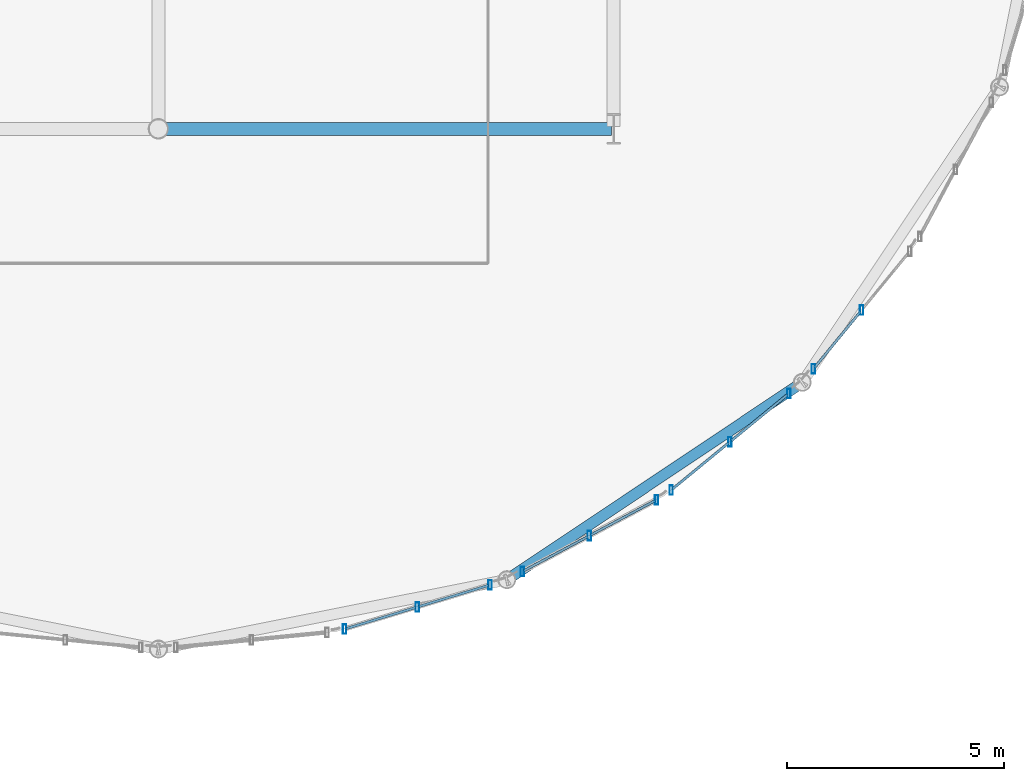
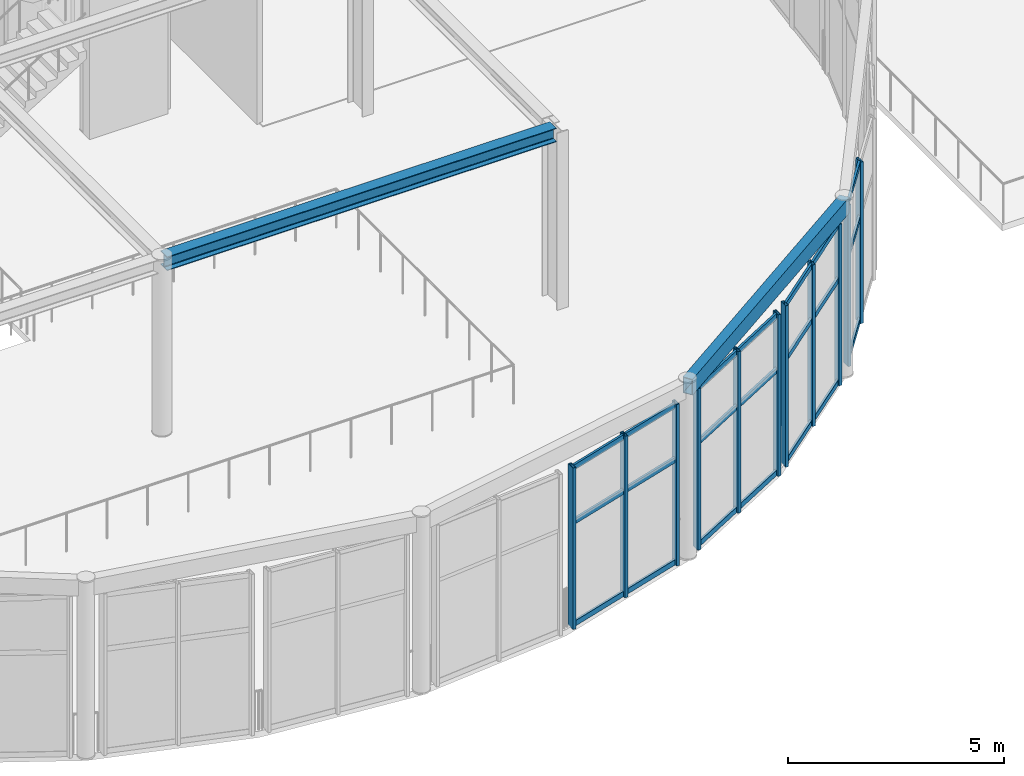
# One storey, part 25 of 195: 32 members, 2 beams, 4 elements without a shape of their own.
"""IFC4 building model written with IfcOpenShell, lengths in metres."""

from ifc_helpers import new_model, si_unit, direction, frame, origin, origin_2d, place, context, subcontext, project, spatial, hollow_rectangle, i_section, extrude, material, layer, layer_set, material_profile, profile_set, type_object, element, aggregate, save


model = new_model("IFC4")

# Units and contexts
model_context = context("Model", 3, precision=1e-05, world=origin(), true_north=direction((0.0, 1.0)))
body_context = subcontext(model_context, "Body", "Model", "MODEL_VIEW")
ifc_project = project(units=[si_unit("LENGTHUNIT", "METRE"), si_unit("AREAUNIT", "SQUARE_METRE"), si_unit("VOLUMEUNIT", "CUBIC_METRE"), si_unit("PLANEANGLEUNIT", "RADIAN"), si_unit("MASSUNIT", "GRAM", prefix="KILO")], contexts=[model_context])

# Site, building, storey
site_placement = place(None, origin())
site = spatial("IfcSite", under=ifc_project, at=site_placement, CompositionType="ELEMENT")
building_placement = place(site_placement, origin())
building = spatial("IfcBuilding", under=site, at=building_placement, Name="Marlcrest Central Station", CompositionType="ELEMENT")
storey_placement = place(building_placement, frame((0.0, 0.0, 9.800048828125)))
storey = spatial("IfcBuildingStorey", under=building, at=storey_placement, Name="L02", CompositionType="ELEMENT", Elevation=9.800048828125)

# Beam
ifc_material_1 = material(Name="Steel S355", Category="steel")
ifc_material_profile_1 = material_profile(ifc_material_1, i_section(OverallWidth=0.300048828125, OverallDepth=0.389892578125, WebThickness=0.010986328125, FlangeThickness=0.01904296875, FilletRadius=0.027099609375, at=origin_2d()), Name="HEA 400")
ifc_profile_set_1 = profile_set([ifc_material_profile_1], Name="Steel S355")
beam_type_1 = type_object("IfcBeamType", Name="BM-08", PredefinedType="BEAM", material=ifc_profile_set_1)
beam_1_placement = place(storey_placement, frame((108.050048828125, 13.5, 4.800048828125), z_axis=(1.0, 0.0, 0.0), x_axis=(0.0, 1.0, 0.0)))
element("IfcBeam", 1, at=beam_1_placement, inside=storey, type_object=beam_type_1, Name="bm-BM-08-L02-01379", PredefinedType="BEAM", context=body_context, shape_type="SweptSolid", body=[
    extrude(i_section(OverallWidth=0.300048828125, OverallDepth=0.389892578125, WebThickness=0.010986328125, FlangeThickness=0.01904296875, FilletRadius=0.027099609375, at=origin_2d()), origin(), (0.0, 0.0, 1.0), 10.39990234375),
])

# Curtain wall, members
ifc_material_2 = material(Name="Anodised aluminium and hurricane laminated glass", Category="aluminium")
ifc_layer = layer(ifc_material_2, 0.219970703125, Name="CW-U1")
ifc_layer_set = layer_set([ifc_layer], Name="Anodised aluminium and hurricane laminated glass")
curtain_wall_type = type_object("IfcCurtainWallType", Name="CW-U1", PredefinedType="USERDEFINED", material=ifc_layer_set)
curtain_wall_1_placement = place(storey_placement, origin())
curtain_wall_1 = element("IfcCurtainWall", 2, at=curtain_wall_1_placement, inside=storey, type_object=curtain_wall_type, Name="cw-L02-0034", ObjectType="UNITISED_CURTAIN_WALL", PredefinedType="USERDEFINED")
ifc_material_3 = material(Name="Anodised aluminium 6063-T6", Category="aluminium")
ifc_material_profile_2 = material_profile(ifc_material_3, hollow_rectangle(XDim=0.080078125, YDim=0.219970703125, WallThickness=0.006103515625, at=origin_2d()), Name="AA-RHS 220x80x6")
ifc_profile_set_2 = profile_set([ifc_material_profile_2], Name="Anodised aluminium 6063-T6")
member_type_1 = type_object("IfcMemberType", Name="ML-01", PredefinedType="MULLION", material=ifc_profile_set_2)
member_1_placement = place(storey_placement, frame((115.6494140625, 2.981689453125, -0.030029296875), z_axis=(0.0, 0.0, 1.0), x_axis=(1.0, 0.0, 0.0)))
member_1 = element("IfcMember", 3, at=member_1_placement, type_object=member_type_1, Name="cw-L02-0034-ml-0", PredefinedType="MULLION", context=body_context, shape_type="SweptSolid", body=[
    extrude(hollow_rectangle(XDim=0.080078125, YDim=0.219970703125, WallThickness=0.006103515625, at=origin_2d()), origin(), (0.0, 0.0, 1.0), 4.56005859375),
])
member_2_placement = place(storey_placement, frame((113.9716796875, 2.47265625, -0.030029296875), z_axis=(0.0, 0.0, 1.0), x_axis=(1.0, 0.0, 0.0)))
member_2 = element("IfcMember", 4, at=member_2_placement, type_object=member_type_1, Name="cw-L02-0034-ml-1", PredefinedType="MULLION", context=body_context, shape_type="SweptSolid", body=[
    extrude(hollow_rectangle(XDim=0.080078125, YDim=0.219970703125, WallThickness=0.006103515625, at=origin_2d()), origin(), (0.0, 0.0, 1.0), 4.56005859375),
])
member_3_placement = place(storey_placement, frame((112.2939453125, 1.963623046875, -0.030029296875), z_axis=(0.0, 0.0, 1.0), x_axis=(1.0, 0.0, 0.0)))
member_3 = element("IfcMember", 5, at=member_3_placement, type_object=member_type_1, Name="cw-L02-0034-ml-2", PredefinedType="MULLION", context=body_context, shape_type="SweptSolid", body=[
    extrude(hollow_rectangle(XDim=0.080078125, YDim=0.219970703125, WallThickness=0.006103515625, at=origin_2d()), origin(), (0.0, 0.0, 1.0), 4.56005859375),
])

curtain_wall_2_placement = place(storey_placement, origin())
curtain_wall_2 = element("IfcCurtainWall", 6, at=curtain_wall_2_placement, inside=storey, type_object=curtain_wall_type, Name="cw-L02-0035", ObjectType="UNITISED_CURTAIN_WALL", PredefinedType="USERDEFINED")
member_4_placement = place(storey_placement, frame((119.485595703125, 4.94189453125, -0.030029296875), z_axis=(0.0, 0.0, 1.0), x_axis=(1.0, 0.0, 0.0)))
member_4 = element("IfcMember", 7, at=member_4_placement, type_object=member_type_1, Name="cw-L02-0035-ml-0", PredefinedType="MULLION", context=body_context, shape_type="SweptSolid", body=[
    extrude(hollow_rectangle(XDim=0.080078125, YDim=0.219970703125, WallThickness=0.006103515625, at=origin_2d()), origin(), (0.0, 0.0, 1.0), 4.56005859375),
])
member_5_placement = place(storey_placement, frame((117.93896484375, 4.11572265625, -0.030029296875), z_axis=(0.0, 0.0, 1.0), x_axis=(1.0, 0.0, 0.0)))
member_5 = element("IfcMember", 8, at=member_5_placement, type_object=member_type_1, Name="cw-L02-0035-ml-1", PredefinedType="MULLION", context=body_context, shape_type="SweptSolid", body=[
    extrude(hollow_rectangle(XDim=0.080078125, YDim=0.219970703125, WallThickness=0.006103515625, at=origin_2d()), origin(), (0.0, 0.0, 1.0), 4.56005859375),
])
member_6_placement = place(storey_placement, frame((116.392333984375, 3.289306640625, -0.030029296875), z_axis=(0.0, 0.0, 1.0), x_axis=(1.0, 0.0, 0.0)))
member_6 = element("IfcMember", 9, at=member_6_placement, type_object=member_type_1, Name="cw-L02-0035-ml-2", PredefinedType="MULLION", context=body_context, shape_type="SweptSolid", body=[
    extrude(hollow_rectangle(XDim=0.080078125, YDim=0.219970703125, WallThickness=0.006103515625, at=origin_2d()), origin(), (0.0, 0.0, 1.0), 4.56005859375),
])

curtain_wall_3_placement = place(storey_placement, origin())
curtain_wall_3 = element("IfcCurtainWall", 10, at=curtain_wall_3_placement, inside=storey, type_object=curtain_wall_type, Name="cw-L02-0036", ObjectType="UNITISED_CURTAIN_WALL", PredefinedType="USERDEFINED")
member_7_placement = place(storey_placement, frame((122.53662109375, 7.39453125, -0.030029296875), z_axis=(0.0, 0.0, 1.0), x_axis=(1.0, 0.0, 0.0)))
member_7 = element("IfcMember", 11, at=member_7_placement, type_object=member_type_1, Name="cw-L02-0036-ml-0", PredefinedType="MULLION", context=body_context, shape_type="SweptSolid", body=[
    extrude(hollow_rectangle(XDim=0.080078125, YDim=0.219970703125, WallThickness=0.006103515625, at=origin_2d()), origin(), (0.0, 0.0, 1.0), 4.56005859375),
])
member_8_placement = place(storey_placement, frame((121.181396484375, 6.281982421875, -0.030029296875), z_axis=(0.0, 0.0, 1.0), x_axis=(1.0, 0.0, 0.0)))
member_8 = element("IfcMember", 12, at=member_8_placement, type_object=member_type_1, Name="cw-L02-0036-ml-1", PredefinedType="MULLION", context=body_context, shape_type="SweptSolid", body=[
    extrude(hollow_rectangle(XDim=0.080078125, YDim=0.219970703125, WallThickness=0.006103515625, at=origin_2d()), origin(), (0.0, 0.0, 1.0), 4.56005859375),
])
member_9_placement = place(storey_placement, frame((119.826171875, 5.169677734375, -0.030029296875), z_axis=(0.0, 0.0, 1.0), x_axis=(1.0, 0.0, 0.0)))
member_9 = element("IfcMember", 13, at=member_9_placement, type_object=member_type_1, Name="cw-L02-0036-ml-2", PredefinedType="MULLION", context=body_context, shape_type="SweptSolid", body=[
    extrude(hollow_rectangle(XDim=0.080078125, YDim=0.219970703125, WallThickness=0.006103515625, at=origin_2d()), origin(), (0.0, 0.0, 1.0), 4.56005859375),
])

curtain_wall_4_placement = place(storey_placement, origin())
curtain_wall_4 = element("IfcCurtainWall", 14, at=curtain_wall_4_placement, inside=storey, type_object=curtain_wall_type, Name="cw-L02-0037", ObjectType="UNITISED_CURTAIN_WALL", PredefinedType="USERDEFINED")
member_10_placement = place(storey_placement, frame((124.218017578125, 9.318603515625, -0.030029296875), z_axis=(0.0, 0.0, 1.0), x_axis=(1.0, 0.0, 0.0)))
member_10 = element("IfcMember", 15, at=member_10_placement, type_object=member_type_1, Name="cw-L02-0037-ml-1", PredefinedType="MULLION", context=body_context, shape_type="SweptSolid", body=[
    extrude(hollow_rectangle(XDim=0.080078125, YDim=0.219970703125, WallThickness=0.006103515625, at=origin_2d()), origin(), (0.0, 0.0, 1.0), 4.56005859375),
])
member_11_placement = place(storey_placement, frame((123.10546875, 7.96337890625, -0.030029296875), z_axis=(0.0, 0.0, 1.0), x_axis=(1.0, 0.0, 0.0)))
member_11 = element("IfcMember", 16, at=member_11_placement, type_object=member_type_1, Name="cw-L02-0037-ml-2", PredefinedType="MULLION", context=body_context, shape_type="SweptSolid", body=[
    extrude(hollow_rectangle(XDim=0.080078125, YDim=0.219970703125, WallThickness=0.006103515625, at=origin_2d()), origin(), (0.0, 0.0, 1.0), 4.56005859375),
])

# Beam
ifc_material_profile_3 = material_profile(ifc_material_1, hollow_rectangle(XDim=0.25, YDim=0.449951171875, WallThickness=0.01611328125, at=origin_2d()), Name="RHS 450x250x16")
ifc_profile_set_3 = profile_set([ifc_material_profile_3], Name="Steel S355")
beam_type_2 = type_object("IfcBeamType", Name="SP-02", PredefinedType="SPANDREL", material=ifc_profile_set_3)
beam_2_placement = place(storey_placement, frame((116.035888671875, 3.09912109375, 4.77001953125), z_axis=(0.831508991937, 0.55551129271, 0.0), x_axis=(-0.55551129271, 0.831508991937, 0.0)))
element("IfcBeam", 17, at=beam_2_placement, inside=storey, type_object=beam_type_2, Name="bm-SP-02-L02-01375", PredefinedType="SPANDREL", context=body_context, shape_type="SweptSolid", body=[
    extrude(hollow_rectangle(XDim=0.25, YDim=0.449951171875, WallThickness=0.01611328125, at=origin_2d()), origin(), (0.0, 0.0, 1.0), 8.19384765625),
])

# Member
ifc_material_profile_4 = material_profile(ifc_material_3, hollow_rectangle(XDim=0.06005859375, YDim=0.14990234375, WallThickness=0.00390625, at=origin_2d()), Name="AA-RHS 150x60x4")
ifc_profile_set_4 = profile_set([ifc_material_profile_4], Name="Anodised aluminium 6063-T6")
member_type_2 = type_object("IfcMemberType", Name="TR-01", PredefinedType="USERDEFINED", material=ifc_profile_set_4)
member_12_placement = place(storey_placement, frame((115.613037109375, 2.970703125, 0.0400390625), z_axis=(-0.95694846695, -0.29025787087, 0.0), x_axis=(0.29025787087, -0.95694846695, 0.0)))
member_12 = element("IfcMember", 18, at=member_12_placement, type_object=member_type_2, Name="cw-L02-0034-tr-0-sill", ObjectType="TRANSOM", PredefinedType="USERDEFINED", context=body_context, shape_type="SweptSolid", body=[
    extrude(hollow_rectangle(XDim=0.06005859375, YDim=0.14990234375, WallThickness=0.00390625, at=origin_2d()), origin(), (0.0, 0.0, 1.0), 1.67724609375),
])

member_13_placement = place(storey_placement, frame((115.613037109375, 2.970703125, 2.925048828125), z_axis=(-0.95694846695, -0.29025787087, 0.0), x_axis=(0.29025787087, -0.95694846695, 0.0)))
member_13 = element("IfcMember", 19, at=member_13_placement, type_object=member_type_2, Name="cw-L02-0034-tr-0-mid", ObjectType="TRANSOM", PredefinedType="USERDEFINED", context=body_context, shape_type="SweptSolid", body=[
    extrude(hollow_rectangle(XDim=0.06005859375, YDim=0.14990234375, WallThickness=0.00390625, at=origin_2d()), origin(), (0.0, 0.0, 1.0), 1.67724609375),
])

member_14_placement = place(storey_placement, frame((115.613037109375, 2.970703125, 4.4599609375), z_axis=(-0.95694846695, -0.29025787087, 0.0), x_axis=(0.29025787087, -0.95694846695, 0.0)))
member_14 = element("IfcMember", 20, at=member_14_placement, type_object=member_type_2, Name="cw-L02-0034-tr-0-head", ObjectType="TRANSOM", PredefinedType="USERDEFINED", context=body_context, shape_type="SweptSolid", body=[
    extrude(hollow_rectangle(XDim=0.06005859375, YDim=0.14990234375, WallThickness=0.00390625, at=origin_2d()), origin(), (0.0, 0.0, 1.0), 1.67724609375),
])

member_15_placement = place(storey_placement, frame((113.935302734375, 2.461669921875, 0.0400390625), z_axis=(-0.95694846695, -0.29025787087, 0.0), x_axis=(0.29025787087, -0.95694846695, 0.0)))
member_15 = element("IfcMember", 21, at=member_15_placement, type_object=member_type_2, Name="cw-L02-0034-tr-1-sill", ObjectType="TRANSOM", PredefinedType="USERDEFINED", context=body_context, shape_type="SweptSolid", body=[
    extrude(hollow_rectangle(XDim=0.06005859375, YDim=0.14990234375, WallThickness=0.00390625, at=origin_2d()), origin(), (0.0, 0.0, 1.0), 1.67724609375),
])

member_16_placement = place(storey_placement, frame((113.935302734375, 2.461669921875, 2.925048828125), z_axis=(-0.95694846695, -0.29025787087, 0.0), x_axis=(0.29025787087, -0.95694846695, 0.0)))
member_16 = element("IfcMember", 22, at=member_16_placement, type_object=member_type_2, Name="cw-L02-0034-tr-1-mid", ObjectType="TRANSOM", PredefinedType="USERDEFINED", context=body_context, shape_type="SweptSolid", body=[
    extrude(hollow_rectangle(XDim=0.06005859375, YDim=0.14990234375, WallThickness=0.00390625, at=origin_2d()), origin(), (0.0, 0.0, 1.0), 1.67724609375),
])

member_17_placement = place(storey_placement, frame((113.935302734375, 2.461669921875, 4.4599609375), z_axis=(-0.95694846695, -0.29025787087, 0.0), x_axis=(0.29025787087, -0.95694846695, 0.0)))
member_17 = element("IfcMember", 23, at=member_17_placement, type_object=member_type_2, Name="cw-L02-0034-tr-1-head", ObjectType="TRANSOM", PredefinedType="USERDEFINED", context=body_context, shape_type="SweptSolid", body=[
    extrude(hollow_rectangle(XDim=0.06005859375, YDim=0.14990234375, WallThickness=0.00390625, at=origin_2d()), origin(), (0.0, 0.0, 1.0), 1.67724609375),
])

aggregate(curtain_wall_1, [member_1, member_2, member_3, member_12, member_13, member_14, member_15, member_16, member_17])

member_18_placement = place(storey_placement, frame((119.451904296875, 4.924072265625, 0.0400390625), z_axis=(-0.881990080976, -0.47126796736, 0.0), x_axis=(0.47126796736, -0.881990080976, 0.0)))
member_18 = element("IfcMember", 24, at=member_18_placement, type_object=member_type_2, Name="cw-L02-0035-tr-0-sill", ObjectType="TRANSOM", PredefinedType="USERDEFINED", context=body_context, shape_type="SweptSolid", body=[
    extrude(hollow_rectangle(XDim=0.06005859375, YDim=0.14990234375, WallThickness=0.00390625, at=origin_2d()), origin(), (0.0, 0.0, 1.0), 1.677490234375),
])

member_19_placement = place(storey_placement, frame((119.451904296875, 4.924072265625, 2.925048828125), z_axis=(-0.881990080976, -0.47126796736, 0.0), x_axis=(0.47126796736, -0.881990080976, 0.0)))
member_19 = element("IfcMember", 25, at=member_19_placement, type_object=member_type_2, Name="cw-L02-0035-tr-0-mid", ObjectType="TRANSOM", PredefinedType="USERDEFINED", context=body_context, shape_type="SweptSolid", body=[
    extrude(hollow_rectangle(XDim=0.06005859375, YDim=0.14990234375, WallThickness=0.00390625, at=origin_2d()), origin(), (0.0, 0.0, 1.0), 1.677490234375),
])

member_20_placement = place(storey_placement, frame((119.451904296875, 4.924072265625, 4.4599609375), z_axis=(-0.881990080976, -0.47126796736, 0.0), x_axis=(0.47126796736, -0.881990080976, 0.0)))
member_20 = element("IfcMember", 26, at=member_20_placement, type_object=member_type_2, Name="cw-L02-0035-tr-0-head", ObjectType="TRANSOM", PredefinedType="USERDEFINED", context=body_context, shape_type="SweptSolid", body=[
    extrude(hollow_rectangle(XDim=0.06005859375, YDim=0.14990234375, WallThickness=0.00390625, at=origin_2d()), origin(), (0.0, 0.0, 1.0), 1.677490234375),
])

member_21_placement = place(storey_placement, frame((117.905517578125, 4.097900390625, 0.0400390625), z_axis=(-0.882022398889, -0.471207478568, 0.0), x_axis=(0.471207478568, -0.882022398889, 0.0)))
member_21 = element("IfcMember", 27, at=member_21_placement, type_object=member_type_2, Name="cw-L02-0035-tr-1-sill", ObjectType="TRANSOM", PredefinedType="USERDEFINED", context=body_context, shape_type="SweptSolid", body=[
    extrude(hollow_rectangle(XDim=0.06005859375, YDim=0.14990234375, WallThickness=0.00390625, at=origin_2d()), origin(), (0.0, 0.0, 1.0), 1.677734375),
])

member_22_placement = place(storey_placement, frame((117.905517578125, 4.097900390625, 2.925048828125), z_axis=(-0.882022398889, -0.471207478568, 0.0), x_axis=(0.471207478568, -0.882022398889, 0.0)))
member_22 = element("IfcMember", 28, at=member_22_placement, type_object=member_type_2, Name="cw-L02-0035-tr-1-mid", ObjectType="TRANSOM", PredefinedType="USERDEFINED", context=body_context, shape_type="SweptSolid", body=[
    extrude(hollow_rectangle(XDim=0.06005859375, YDim=0.14990234375, WallThickness=0.00390625, at=origin_2d()), origin(), (0.0, 0.0, 1.0), 1.677734375),
])

member_23_placement = place(storey_placement, frame((117.905517578125, 4.097900390625, 4.4599609375), z_axis=(-0.882022398889, -0.471207478568, 0.0), x_axis=(0.471207478568, -0.882022398889, 0.0)))
member_23 = element("IfcMember", 29, at=member_23_placement, type_object=member_type_2, Name="cw-L02-0035-tr-1-head", ObjectType="TRANSOM", PredefinedType="USERDEFINED", context=body_context, shape_type="SweptSolid", body=[
    extrude(hollow_rectangle(XDim=0.06005859375, YDim=0.14990234375, WallThickness=0.00390625, at=origin_2d()), origin(), (0.0, 0.0, 1.0), 1.677734375),
])

aggregate(curtain_wall_2, [member_4, member_5, member_6, member_18, member_19, member_20, member_21, member_22, member_23])

member_24_placement = place(storey_placement, frame((122.50732421875, 7.37060546875, 0.0400390625), z_axis=(-0.772912318539, -0.634512842936, 0.0), x_axis=(0.634512842936, -0.772912318539, 0.0)))
member_24 = element("IfcMember", 30, at=member_24_placement, type_object=member_type_2, Name="cw-L02-0036-tr-0-sill", ObjectType="TRANSOM", PredefinedType="USERDEFINED", context=body_context, shape_type="SweptSolid", body=[
    extrude(hollow_rectangle(XDim=0.06005859375, YDim=0.14990234375, WallThickness=0.00390625, at=origin_2d()), origin(), (0.0, 0.0, 1.0), 1.677490234375),
])

member_25_placement = place(storey_placement, frame((122.50732421875, 7.37060546875, 2.925048828125), z_axis=(-0.772912318539, -0.634512842936, 0.0), x_axis=(0.634512842936, -0.772912318539, 0.0)))
member_25 = element("IfcMember", 31, at=member_25_placement, type_object=member_type_2, Name="cw-L02-0036-tr-0-mid", ObjectType="TRANSOM", PredefinedType="USERDEFINED", context=body_context, shape_type="SweptSolid", body=[
    extrude(hollow_rectangle(XDim=0.06005859375, YDim=0.14990234375, WallThickness=0.00390625, at=origin_2d()), origin(), (0.0, 0.0, 1.0), 1.677490234375),
])

member_26_placement = place(storey_placement, frame((122.50732421875, 7.37060546875, 4.4599609375), z_axis=(-0.772912318539, -0.634512842936, 0.0), x_axis=(0.634512842936, -0.772912318539, 0.0)))
member_26 = element("IfcMember", 32, at=member_26_placement, type_object=member_type_2, Name="cw-L02-0036-tr-0-head", ObjectType="TRANSOM", PredefinedType="USERDEFINED", context=body_context, shape_type="SweptSolid", body=[
    extrude(hollow_rectangle(XDim=0.06005859375, YDim=0.14990234375, WallThickness=0.00390625, at=origin_2d()), origin(), (0.0, 0.0, 1.0), 1.677490234375),
])

member_27_placement = place(storey_placement, frame((121.152099609375, 6.258056640625, 0.0400390625), z_axis=(-0.772912318539, -0.634512842936, 0.0), x_axis=(0.634512842936, -0.772912318539, 0.0)))
member_27 = element("IfcMember", 33, at=member_27_placement, type_object=member_type_2, Name="cw-L02-0036-tr-1-sill", ObjectType="TRANSOM", PredefinedType="USERDEFINED", context=body_context, shape_type="SweptSolid", body=[
    extrude(hollow_rectangle(XDim=0.06005859375, YDim=0.14990234375, WallThickness=0.00390625, at=origin_2d()), origin(), (0.0, 0.0, 1.0), 1.677490234375),
])

member_28_placement = place(storey_placement, frame((121.152099609375, 6.258056640625, 2.925048828125), z_axis=(-0.772912318539, -0.634512842936, 0.0), x_axis=(0.634512842936, -0.772912318539, 0.0)))
member_28 = element("IfcMember", 34, at=member_28_placement, type_object=member_type_2, Name="cw-L02-0036-tr-1-mid", ObjectType="TRANSOM", PredefinedType="USERDEFINED", context=body_context, shape_type="SweptSolid", body=[
    extrude(hollow_rectangle(XDim=0.06005859375, YDim=0.14990234375, WallThickness=0.00390625, at=origin_2d()), origin(), (0.0, 0.0, 1.0), 1.677490234375),
])

member_29_placement = place(storey_placement, frame((121.152099609375, 6.258056640625, 4.4599609375), z_axis=(-0.772912318539, -0.634512842936, 0.0), x_axis=(0.634512842936, -0.772912318539, 0.0)))
member_29 = element("IfcMember", 35, at=member_29_placement, type_object=member_type_2, Name="cw-L02-0036-tr-1-head", ObjectType="TRANSOM", PredefinedType="USERDEFINED", context=body_context, shape_type="SweptSolid", body=[
    extrude(hollow_rectangle(XDim=0.06005859375, YDim=0.14990234375, WallThickness=0.00390625, at=origin_2d()), origin(), (0.0, 0.0, 1.0), 1.677490234375),
])

aggregate(curtain_wall_3, [member_7, member_8, member_9, member_24, member_25, member_26, member_27, member_28, member_29])

member_30_placement = place(storey_placement, frame((124.19384765625, 9.289306640625, 0.0400390625), z_axis=(-0.634512842936, -0.772912318539, 0.0), x_axis=(0.772912318539, -0.634512842936, 0.0)))
member_30 = element("IfcMember", 36, at=member_30_placement, type_object=member_type_2, Name="cw-L02-0037-tr-1-sill", ObjectType="TRANSOM", PredefinedType="USERDEFINED", context=body_context, shape_type="SweptSolid", body=[
    extrude(hollow_rectangle(XDim=0.06005859375, YDim=0.14990234375, WallThickness=0.00390625, at=origin_2d()), origin(), (0.0, 0.0, 1.0), 1.677490234375),
])

member_31_placement = place(storey_placement, frame((124.19384765625, 9.289306640625, 2.925048828125), z_axis=(-0.634512842936, -0.772912318539, 0.0), x_axis=(0.772912318539, -0.634512842936, 0.0)))
member_31 = element("IfcMember", 37, at=member_31_placement, type_object=member_type_2, Name="cw-L02-0037-tr-1-mid", ObjectType="TRANSOM", PredefinedType="USERDEFINED", context=body_context, shape_type="SweptSolid", body=[
    extrude(hollow_rectangle(XDim=0.06005859375, YDim=0.14990234375, WallThickness=0.00390625, at=origin_2d()), origin(), (0.0, 0.0, 1.0), 1.677490234375),
])

member_32_placement = place(storey_placement, frame((124.19384765625, 9.289306640625, 4.4599609375), z_axis=(-0.634512842936, -0.772912318539, 0.0), x_axis=(0.772912318539, -0.634512842936, 0.0)))
member_32 = element("IfcMember", 38, at=member_32_placement, type_object=member_type_2, Name="cw-L02-0037-tr-1-head", ObjectType="TRANSOM", PredefinedType="USERDEFINED", context=body_context, shape_type="SweptSolid", body=[
    extrude(hollow_rectangle(XDim=0.06005859375, YDim=0.14990234375, WallThickness=0.00390625, at=origin_2d()), origin(), (0.0, 0.0, 1.0), 1.677490234375),
])

aggregate(curtain_wall_4, [member_10, member_11, member_30, member_31, member_32])

save(model, "model.ifc")
